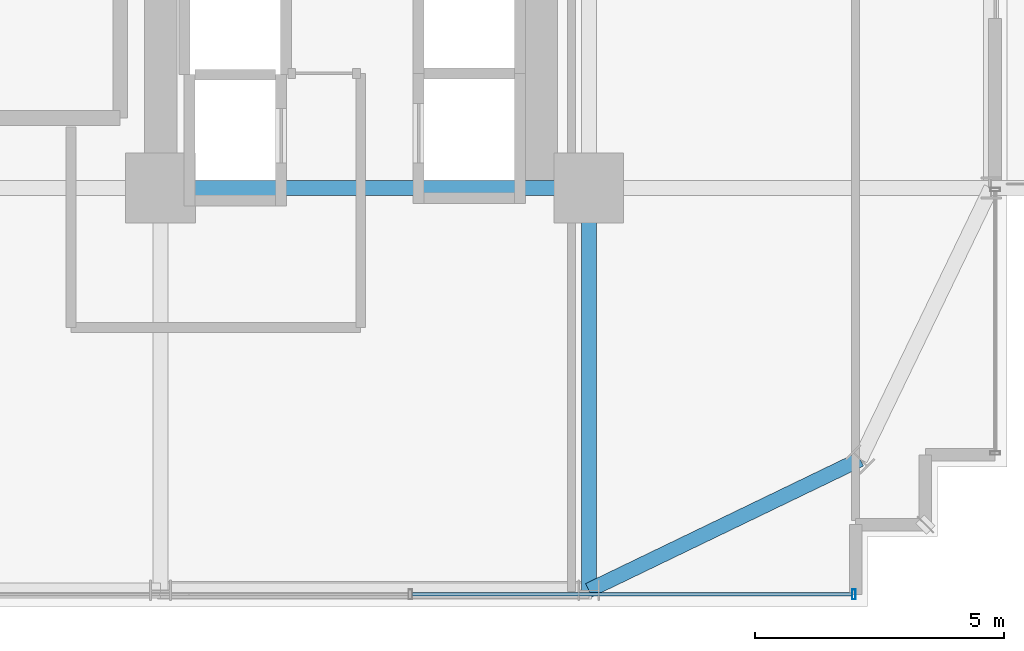
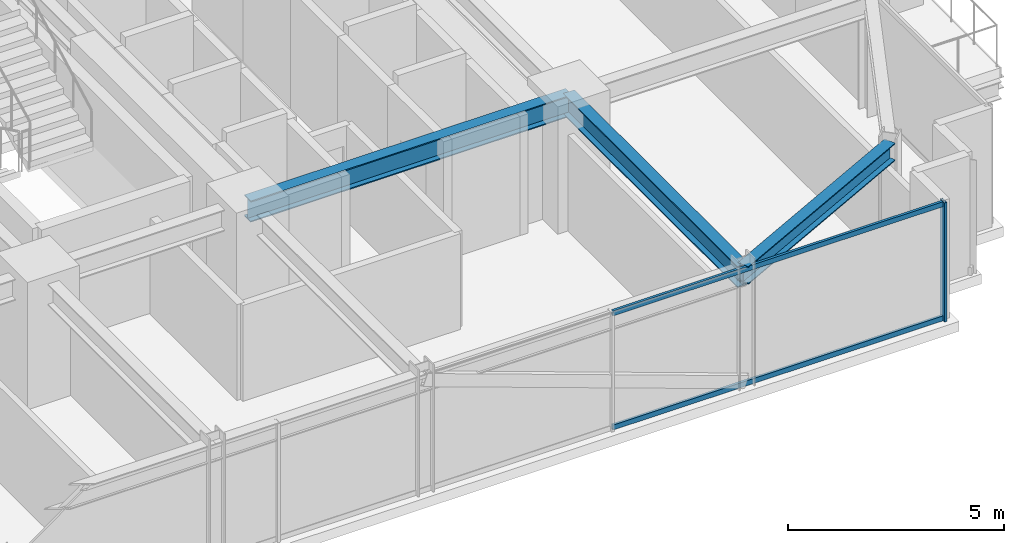
# One storey, part 16 of 47: 3 beams, 3 members, 1 element without a shape of its own.
"""IFC4 building model written with IfcOpenShell, lengths in metres."""

from ifc_helpers import new_model, si_unit, direction, frame, origin, origin_2d, place, context, subcontext, project, spatial, hollow_rectangle, i_section, extrude, source, transform, mapped, material, material_profile, profile_set, type_object, element, aggregate, save


model = new_model("IFC4")

# Units and contexts
model_context = context("Model", 3, precision=1e-05, world=origin(), true_north=direction((0.0, 1.0)))
body_context = subcontext(model_context, "Body", "Model", "MODEL_VIEW")
ifc_project = project(units=[si_unit("LENGTHUNIT", "METRE"), si_unit("AREAUNIT", "SQUARE_METRE"), si_unit("VOLUMEUNIT", "CUBIC_METRE"), si_unit("PLANEANGLEUNIT", "RADIAN"), si_unit("MASSUNIT", "GRAM", prefix="KILO")], contexts=[model_context])

# Site, building, storey
site_placement = place(None, origin())
site = spatial("IfcSite", under=ifc_project, at=site_placement, CompositionType="ELEMENT")
building_placement = place(site_placement, origin())
building = spatial("IfcBuilding", under=site, at=building_placement, Name="Nahalor Promenade Grand Hotel", CompositionType="ELEMENT")
storey_placement = place(building_placement, frame((0.0, 0.0, 68.89990234375)))
storey = spatial("IfcBuildingStorey", under=building, at=storey_placement, Name="L16", CompositionType="ELEMENT", Elevation=68.89990234375)

# Beams
ifc_material_1 = material(Name="Steel S355JR", Category="steel")
ifc_material_profile_1 = material_profile(ifc_material_1, i_section(OverallWidth=0.3, OverallDepth=0.6, WebThickness=0.0155, FlangeThickness=0.03, at=origin_2d()), Name="HEB 600")
ifc_profile_set_1 = profile_set([ifc_material_profile_1], Name="Steel S355JR")
beam_type_1 = type_object("IfcBeamType", Name="Beam-Girder-HEB600", PredefinedType="BEAM", material=ifc_profile_set_1)
shared_shape_1 = source(origin(), body_context, "Body", "SweptSolid", [
    extrude(i_section(OverallWidth=0.3, OverallDepth=0.6, WebThickness=0.0155, FlangeThickness=0.03, at=origin_2d()), origin(), (0.0, 0.0, 1.0), 8.60009765625),
])
beam_1_placement = place(storey_placement, frame((8.39990234375, -17.0, 3.070068359375), z_axis=(1.0, 0.0, 0.0), x_axis=(0.0, 1.0, 0.0)))
element("IfcBeam", 1, at=beam_1_placement, inside=storey, type_object=beam_type_1, Name="BM-L16-GX-0-5", PredefinedType="BEAM", context=body_context, shape_type="MappedRepresentation", body=[
    mapped(shared_shape_1, transform((0.0, 0.0, 0.0), scale=1.0)),
])
shared_shape_2 = source(origin(), body_context, "Body", "SweptSolid", [
    extrude(i_section(OverallWidth=0.3, OverallDepth=0.6, WebThickness=0.0155, FlangeThickness=0.03, at=origin_2d()), origin(), (0.0, 0.0, 1.0), 8.080078125),
])
beam_2_placement = place(storey_placement, frame((17.0, -25.080078125, 3.070068359375), z_axis=(0.0, 1.0, 0.0), x_axis=(-1.0, 0.0, 0.0)))
element("IfcBeam", 2, at=beam_2_placement, inside=storey, type_object=beam_type_1, Name="BM-L16-GY-5-0", PredefinedType="BEAM", context=body_context, shape_type="MappedRepresentation", body=[
    mapped(shared_shape_2, transform((0.0, 0.0, 0.0), scale=1.0)),
])
ifc_material_profile_2 = material_profile(ifc_material_1, i_section(OverallWidth=0.3, OverallDepth=0.5, WebThickness=0.0145, FlangeThickness=0.028, at=origin_2d()), Name="HEB 500")
ifc_profile_set_2 = profile_set([ifc_material_profile_2], Name="Steel S355JR")
beam_type_2 = type_object("IfcBeamType", Name="Beam-Spandrel-HEB500", PredefinedType="SPANDREL", material=ifc_profile_set_2)
shared_shape_3 = source(origin(), body_context, "Body", "SweptSolid", [
    extrude(i_section(OverallWidth=0.3, OverallDepth=0.5, WebThickness=0.0145, FlangeThickness=0.028, at=origin_2d()), origin(), (0.0, 0.0, 1.0), 6.051513671875),
])
beam_3_placement = place(storey_placement, frame((17.0, -25.080078125, 3.1201171875), z_axis=(0.900608818852, 0.434630596492, 0.0), x_axis=(-0.434630596492, 0.900608818852, 0.0)))
element("IfcBeam", 3, at=beam_3_placement, inside=storey, type_object=beam_type_2, Name="BM-L16-SPC-SE-1", PredefinedType="SPANDREL", context=body_context, shape_type="MappedRepresentation", body=[
    mapped(shared_shape_3, transform((0.0, 0.0, 0.0), scale=1.0)),
])

# Curtain wall, members
ifc_material_2 = material(Name="Anodised Bronze Aluminium EN AW-6063 T6", Category="aluminium")
curtain_wall_type = type_object("IfcCurtainWallType", Name="CW3 Elliptical-Void Collar Unitised Curtain Wall", PredefinedType="USERDEFINED", material=ifc_material_2)
curtain_wall_placement = place(storey_placement, origin())
curtain_wall = element("IfcCurtainWall", 4, at=curtain_wall_placement, inside=storey, type_object=curtain_wall_type, Name="L16 Curtain Wall CW-L16-S-1", ObjectType="UNITISED_CURTAIN_WALL", PredefinedType="USERDEFINED")
ifc_material_profile_3 = material_profile(ifc_material_2, hollow_rectangle(XDim=0.07, YDim=0.14, WallThickness=0.004, at=origin_2d()), Name="CWT 70x140x4")
ifc_profile_set_3 = profile_set([ifc_material_profile_3], Name="Anodised Bronze Aluminium EN AW-6063 T6")
member_type_1 = type_object("IfcMemberType", Name="CWT3 Void Collar Transom 70x140", PredefinedType="USERDEFINED", material=ifc_profile_set_3)
shared_shape_4 = source(origin(), body_context, "Body", "SweptSolid", [
    extrude(hollow_rectangle(XDim=0.07, YDim=0.14, WallThickness=0.004, at=origin_2d()), origin(), (0.0, 0.0, 1.0), 8.839111328125),
])
member_1_placement = place(storey_placement, frame((13.450927734375, -25.159912109375, 0.070068359375), z_axis=(1.0, 0.0, 0.0), x_axis=(0.0, 1.0, 0.0)))
member_1 = element("IfcMember", 5, at=member_1_placement, type_object=member_type_1, Name="CW-L16-S-1 Transom 4-0", ObjectType="TRANSOM", PredefinedType="USERDEFINED", context=body_context, shape_type="MappedRepresentation", body=[
    mapped(shared_shape_4, transform((0.0, 0.0, 0.0), scale=1.0)),
])
member_2_placement = place(storey_placement, frame((13.450927734375, -25.159912109375, 3.300048828125), z_axis=(1.0, 0.0, 0.0), x_axis=(0.0, 1.0, 0.0)))
member_2 = element("IfcMember", 6, at=member_2_placement, type_object=member_type_1, Name="CW-L16-S-1 Transom 4-1", ObjectType="TRANSOM", PredefinedType="USERDEFINED", context=body_context, shape_type="MappedRepresentation", body=[
    mapped(shared_shape_4, transform((0.0, 0.0, 0.0), scale=1.0)),
])
ifc_material_profile_4 = material_profile(ifc_material_2, hollow_rectangle(XDim=0.07, YDim=0.2, WallThickness=0.005, at=origin_2d()), Name="CWM 70x200x5")
ifc_profile_set_4 = profile_set([ifc_material_profile_4], Name="Anodised Bronze Aluminium EN AW-6063 T6")
member_type_2 = type_object("IfcMemberType", Name="CWM3 Void Collar Mullion 70x200", PredefinedType="MULLION", material=ifc_profile_set_4)
shared_shape_5 = source(origin(), body_context, "Body", "SweptSolid", [
    extrude(hollow_rectangle(XDim=0.07, YDim=0.2, WallThickness=0.005, at=origin_2d()), origin(), (0.0, 0.0, 1.0), 3.3701171875),
])
member_3_placement = place(storey_placement, frame((22.324951171875, -25.159912109375, 0.0), z_axis=(0.0, 0.0, 1.0), x_axis=(1.0, 0.0, 0.0)))
member_3 = element("IfcMember", 7, at=member_3_placement, type_object=member_type_2, Name="CW-L16-S-1 Mullion 5", PredefinedType="MULLION", context=body_context, shape_type="MappedRepresentation", body=[
    mapped(shared_shape_5, transform((0.0, 0.0, 0.0), scale=1.0)),
])
aggregate(curtain_wall, [member_3, member_1, member_2])

save(model, "model.ifc")
